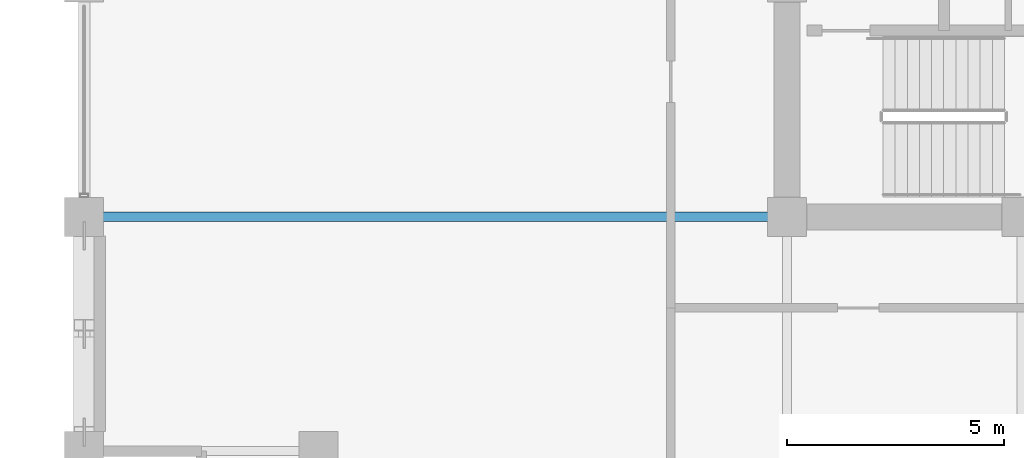
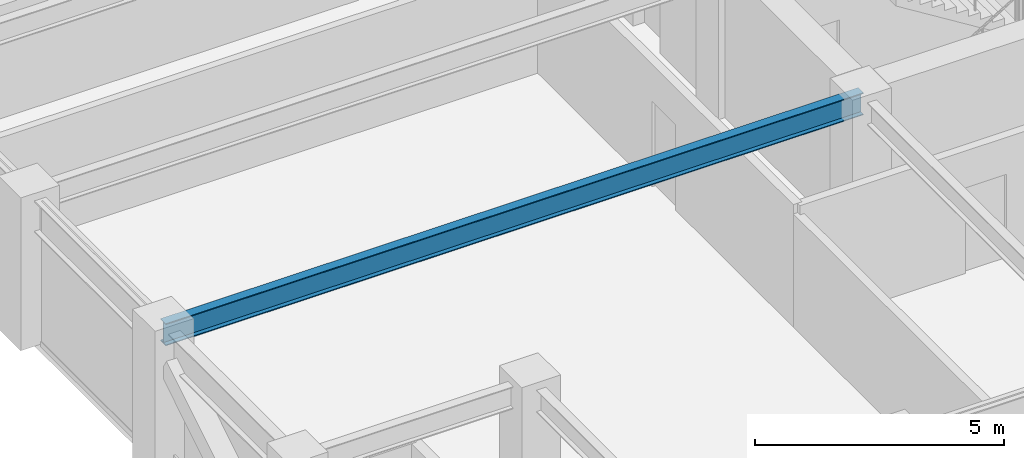
# One storey, part 5 of 32: 1 beam.
"""IFC4 building model written with IfcOpenShell, lengths in metres."""

from ifc_helpers import new_model, si_unit, direction, frame, origin, origin_2d, place, context, subcontext, project, spatial, i_section, extrude, material, material_profile, profile_set, type_object, element, save


model = new_model("IFC4")

# Units and contexts
model_context = context("Model", 3, precision=1e-05, world=origin(), true_north=direction((0.0, 1.0)))
body_context = subcontext(model_context, "Body", "Model", "MODEL_VIEW")
ifc_project = project(units=[si_unit("LENGTHUNIT", "METRE"), si_unit("AREAUNIT", "SQUARE_METRE"), si_unit("VOLUMEUNIT", "CUBIC_METRE"), si_unit("PLANEANGLEUNIT", "RADIAN"), si_unit("MASSUNIT", "GRAM", prefix="KILO")], contexts=[model_context])

# Site, building, storey
site_placement = place(None, origin())
site = spatial("IfcSite", under=ifc_project, at=site_placement, CompositionType="ELEMENT")
building_placement = place(site_placement, origin())
building = spatial("IfcBuilding", under=site, at=building_placement, Name="Surkhivell Harbour Commons", CompositionType="ELEMENT")
storey_placement = place(building_placement, frame((0.0, 0.0, 189.75)))
storey = spatial("IfcBuildingStorey", under=building, at=storey_placement, Name="L49", CompositionType="ELEMENT", Elevation=189.75)

# Beam
ifc_material = material(Name="Steel S355", Category="steel")
ifc_material_profile = material_profile(ifc_material, i_section(OverallWidth=0.2119140625, OverallDepth=0.5439453125, WebThickness=0.0126953125, FlangeThickness=0.021240234375, at=origin_2d()), Name="UB533x210x122")
ifc_profile_set = profile_set([ifc_material_profile], Name="Steel S355")
beam_type = type_object("IfcBeamType", Name="BM-GRD-533A", PredefinedType="BEAM", material=ifc_profile_set)
beam_placement = place(storey_placement, frame((-27.0, -10.800048828125, 3.298095703125), z_axis=(1.0, 0.0, 0.0), x_axis=(0.0, 1.0, 0.0)))
element("IfcBeam", 1, at=beam_placement, inside=storey, type_object=beam_type, Name="L49 Floor Girder (-27.0,-10.8)", PredefinedType="BEAM", context=body_context, shape_type="SweptSolid", body=[
    extrude(i_section(OverallWidth=0.2119140625, OverallDepth=0.5439453125, WebThickness=0.0126953125, FlangeThickness=0.021240234375, at=origin_2d()), origin(), (0.0, 0.0, 1.0), 16.199951171875),
])

save(model, "model.ifc")
